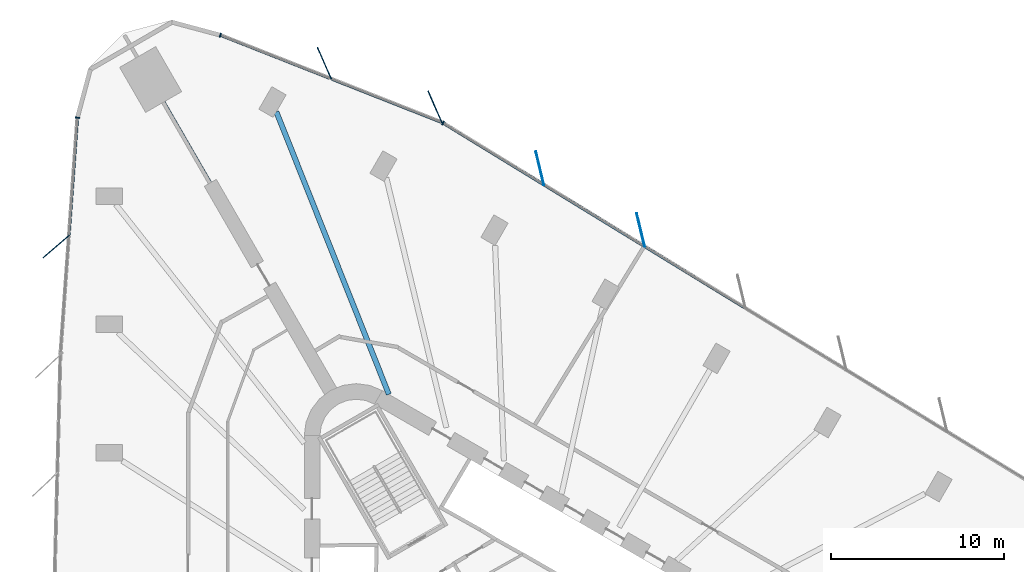
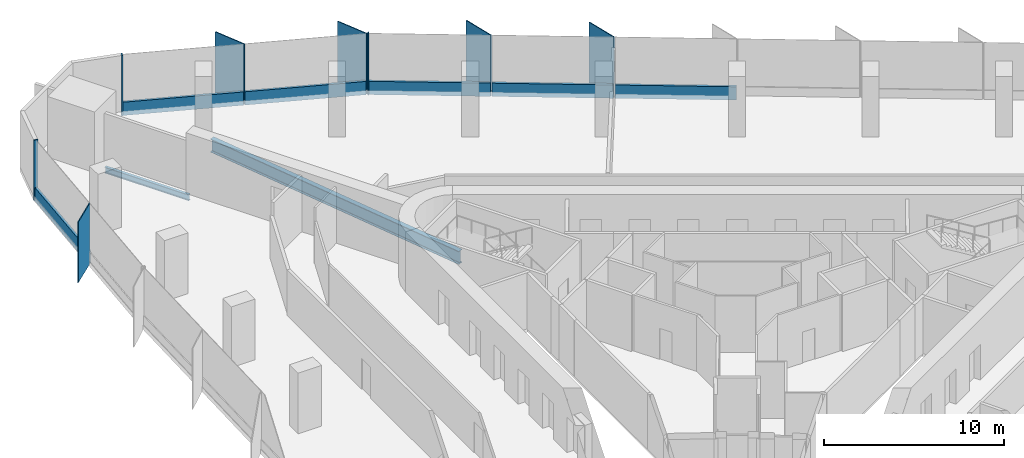
# One storey, part 6 of 13: 14 members, 2 beams, 3 elements without a shape of their own.
"""IFC4 building model written with IfcOpenShell, lengths in metres."""

from ifc_helpers import new_model, si_unit, direction, frame, origin, origin_2d, place, context, subcontext, project, spatial, rectangle, i_section, extrude, material, material_profile, profile_set, type_object, element, aggregate, save


model = new_model("IFC4")

# Units and contexts
model_context = context("Model", 3, precision=1e-05, world=origin(), true_north=direction((0.0, 1.0)))
body_context = subcontext(model_context, "Body", "Model", "MODEL_VIEW")
ifc_project = project(units=[si_unit("LENGTHUNIT", "METRE"), si_unit("AREAUNIT", "SQUARE_METRE"), si_unit("VOLUMEUNIT", "CUBIC_METRE"), si_unit("PLANEANGLEUNIT", "RADIAN"), si_unit("MASSUNIT", "GRAM", prefix="KILO")], contexts=[model_context])

# Site, building, storey
site_placement = place(None, origin())
site = spatial("IfcSite", under=ifc_project, at=site_placement, CompositionType="ELEMENT")
building_placement = place(site_placement, origin())
building = spatial("IfcBuilding", under=site, at=building_placement, Name="Tanit Gate Tower", CompositionType="ELEMENT")
storey_placement = place(building_placement, frame((0.0, 0.0, 61.89990234375)))
storey = spatial("IfcBuildingStorey", under=building, at=storey_placement, Name="L11", CompositionType="ELEMENT", Elevation=61.89990234375)

# Curtain wall, members
ifc_material_1 = material(Name="Aluminium bronze anodised and glass", Category="aluminium")
curtain_wall_type = type_object("IfcCurtainWallType", Name="Curtain wall typical low", PredefinedType="NOTDEFINED", material=ifc_material_1)
curtain_wall_1_placement = place(storey_placement, origin())
curtain_wall_1 = element("IfcCurtainWall", 1, at=curtain_wall_1_placement, inside=storey, type_object=curtain_wall_type, Name="Curtain wall L11 NE2", PredefinedType="NOTDEFINED")
ifc_material_2 = material(Name="Aluminium bronze anodised", Category="aluminium")
ifc_material_profile_1 = material_profile(ifc_material_2, rectangle(XDim=2.0, YDim=0.055908203125, at=origin_2d()), Name="56x2000 bronze fin mullion")
ifc_profile_set_1 = profile_set([ifc_material_profile_1], Name="Aluminium bronze anodised")
member_type_1 = type_object("IfcMemberType", Name="FIN MULLION 56x2000 bronze", PredefinedType="MULLION", material=ifc_profile_set_1)
member_1_placement = place(storey_placement, frame((7.30029296875, 27.619873046875, -0.2998046875), z_axis=(0.0, 0.0, 1.0), x_axis=(0.233691416098, -0.972310815553, 0.0)))
member_1 = element("IfcMember", 2, at=member_1_placement, type_object=member_type_1, Name="Fin mullion L11 NE2.5", PredefinedType="MULLION", context=body_context, shape_type="SweptSolid", body=[
    extrude(rectangle(XDim=2.0, YDim=0.055908203125, at=origin_2d()), origin(), (0.0, 0.0, 1.0), 4.099853515625),
])
member_2_placement = place(storey_placement, frame((1.486572265625, 31.1806640625, -0.2998046875), z_axis=(0.0, 0.0, 1.0), x_axis=(0.233691416098, -0.972310815553, 0.0)))
member_2 = element("IfcMember", 3, at=member_2_placement, type_object=member_type_1, Name="Fin mullion L11 NE2.6", PredefinedType="MULLION", context=body_context, shape_type="SweptSolid", body=[
    extrude(rectangle(XDim=2.0, YDim=0.055908203125, at=origin_2d()), origin(), (0.0, 0.0, 1.0), 4.099853515625),
])

curtain_wall_2_placement = place(storey_placement, origin())
curtain_wall_2 = element("IfcCurtainWall", 4, at=curtain_wall_2_placement, inside=storey, type_object=curtain_wall_type, Name="Curtain wall L11 NE3", PredefinedType="NOTDEFINED")
member_3_placement = place(storey_placement, frame((-4.56005859375, 34.722900390625, -0.2998046875), z_axis=(0.0, 0.0, 1.0), x_axis=(0.39870312374, -0.917080050552, 0.0)))
member_3 = element("IfcMember", 5, at=member_3_placement, type_object=member_type_1, Name="Fin mullion L11 NE3.1", PredefinedType="MULLION", context=body_context, shape_type="SweptSolid", body=[
    extrude(rectangle(XDim=2.0, YDim=0.055908203125, at=origin_2d()), origin(), (0.0, 0.0, 1.0), 4.099853515625),
])
member_4_placement = place(storey_placement, frame((-10.940673828125, 37.236572265625, -0.2998046875), z_axis=(0.0, 0.0, 1.0), x_axis=(0.39870312374, -0.917080050552, 0.0)))
member_4 = element("IfcMember", 6, at=member_4_placement, type_object=member_type_1, Name="Fin mullion L11 NE3.2", PredefinedType="MULLION", context=body_context, shape_type="SweptSolid", body=[
    extrude(rectangle(XDim=2.0, YDim=0.055908203125, at=origin_2d()), origin(), (0.0, 0.0, 1.0), 4.099853515625),
])

# Curtain wall, member
curtain_wall_3_placement = place(storey_placement, origin())
curtain_wall_3 = element("IfcCurtainWall", 7, at=curtain_wall_3_placement, inside=storey, type_object=curtain_wall_type, Name="Curtain wall L11 W1", PredefinedType="NOTDEFINED")
member_5_placement = place(storey_placement, frame((-26.403076171875, 26.670654296875, -0.2998046875), z_axis=(0.0, 0.0, 1.0), x_axis=(0.755801874153, 0.65480037189, 0.0)))
member_5 = element("IfcMember", 8, at=member_5_placement, type_object=member_type_1, Name="Fin mullion L11 W1.2", PredefinedType="MULLION", context=body_context, shape_type="SweptSolid", body=[
    extrude(rectangle(XDim=2.0, YDim=0.055908203125, at=origin_2d()), origin(), (0.0, 0.0, 1.0), 4.099853515625),
])

# Member
ifc_material_3 = material(Name="Aluminium bronze anodised", Category="aluminium")
ifc_material_profile_2 = material_profile(ifc_material_3, rectangle(XDim=0.239990234375, YDim=0.080078125, at=origin_2d()), Name="80x240 bronze mullion")
ifc_profile_set_2 = profile_set([ifc_material_profile_2], Name="Aluminium bronze anodised")
member_type_2 = type_object("IfcMemberType", Name="Mullion 80x240 typical low", PredefinedType="MULLION", material=ifc_profile_set_2)
member_6_placement = place(storey_placement, frame((-4.09912109375, 33.791015625, -0.2998046875), z_axis=(0.0, 0.0, 1.0), x_axis=(-0.522282786071, -0.852772356127, 0.0)))
member_6 = element("IfcMember", 9, at=member_6_placement, type_object=member_type_2, Name="Mullion L11 NE2.7", PredefinedType="MULLION", context=body_context, shape_type="SweptSolid", body=[
    extrude(rectangle(XDim=0.239990234375, YDim=0.080078125, at=origin_2d()), origin(), (0.0, 0.0, 1.0), 4.099853515625),
])

member_7_placement = place(storey_placement, frame((-16.931884765625, 38.854248046875, -0.2998046875), z_axis=(0.0, 0.0, 1.0), x_axis=(-0.366547840159, -0.930399205113, 0.0)))
member_7 = element("IfcMember", 10, at=member_7_placement, type_object=member_type_2, Name="Mullion L11 NE3.3", PredefinedType="MULLION", context=body_context, shape_type="SweptSolid", body=[
    extrude(rectangle(XDim=0.239990234375, YDim=0.080078125, at=origin_2d()), origin(), (0.0, 0.0, 1.0), 4.099853515625),
])

member_8_placement = place(storey_placement, frame((-25.178466796875, 34.094482421875, -0.2998046875), z_axis=(0.0, 0.0, 1.0), x_axis=(0.997446413734, -0.07141884716, 0.0)))
member_8 = element("IfcMember", 11, at=member_8_placement, type_object=member_type_2, Name="Mullion L11 W1.1", PredefinedType="MULLION", context=body_context, shape_type="SweptSolid", body=[
    extrude(rectangle(XDim=0.239990234375, YDim=0.080078125, at=origin_2d()), origin(), (0.0, 0.0, 1.0), 4.099853515625),
])

# Beams
ifc_material_4 = material(Name="Steel S355", Category="steel")
ifc_material_profile_3 = material_profile(ifc_material_4, i_section(OverallWidth=0.300048828125, OverallDepth=0.889892578125, WebThickness=0.01611328125, FlangeThickness=0.030029296875, FilletRadius=0.030029296875, at=origin_2d()), Name="HEA 900")
ifc_profile_set_3 = profile_set([ifc_material_profile_3], Name="Steel S355")
beam_type_1 = type_object("IfcBeamType", Name="RADIAL GIRDER HEA 900 S355", PredefinedType="BEAM", material=ifc_profile_set_3)
beam_1_placement = place(storey_placement, frame((-13.708740234375, 34.4375, -0.744873046875), z_axis=(0.369856388191, -0.929088936601, 0.0), x_axis=(0.929088936601, 0.369856388191, 0.0)))
element("IfcBeam", 12, at=beam_1_placement, inside=storey, type_object=beam_type_1, Name="RADIAL GIRDER", PredefinedType="BEAM", context=body_context, shape_type="SweptSolid", body=[
    extrude(i_section(OverallWidth=0.300048828125, OverallDepth=0.889892578125, WebThickness=0.01611328125, FlangeThickness=0.030029296875, FilletRadius=0.030029296875, at=origin_2d()), origin(), (0.0, 0.0, 1.0), 17.536865234375),
])
ifc_material_5 = material(Name="Steel S355", Category="steel")
ifc_material_profile_4 = material_profile(ifc_material_5, i_section(OverallWidth=0.179931640625, OverallDepth=0.39990234375, WebThickness=0.008544921875, FlangeThickness=0.013427734375, FilletRadius=0.02099609375, at=origin_2d()), Name="IPE 400")
ifc_profile_set_4 = profile_set([ifc_material_profile_4], Name="Steel S355")
beam_type_2 = type_object("IfcBeamType", Name="RADIAL GIRDER IPE 400 S355", PredefinedType="BEAM", material=ifc_profile_set_4)
beam_2_placement = place(storey_placement, frame((-20.206787109375, 34.999267578125, -0.5), z_axis=(0.499994808408, -0.866028401131, 0.0), x_axis=(0.866028401131, 0.499994808408, 0.0)))
element("IfcBeam", 13, at=beam_2_placement, inside=storey, type_object=beam_type_2, Name="RADIAL GIRDER", PredefinedType="BEAM", context=body_context, shape_type="SweptSolid", body=[
    extrude(i_section(OverallWidth=0.179931640625, OverallDepth=0.39990234375, WebThickness=0.008544921875, FlangeThickness=0.013427734375, FilletRadius=0.02099609375, at=origin_2d()), origin(), (0.0, 0.0, 1.0), 5.3798828125),
])

# Member
ifc_material_6 = material(Name="Aluminium bronze anodised", Category="aluminium")
ifc_material_profile_5 = material_profile(ifc_material_6, rectangle(XDim=0.159912109375, YDim=0.89990234375, at=origin_2d()), Name="160x900 bronze transom")
ifc_profile_set_5 = profile_set([ifc_material_profile_5], Name="Aluminium bronze anodised")
member_type_3 = type_object("IfcMemberType", Name="Transom 160x900 typical low", PredefinedType="USERDEFINED", material=ifc_profile_set_5)
member_9_placement = place(storey_placement, frame((13.30859375, 23.129638671875, 0.150146484375), z_axis=(-0.852763694856, 0.522296927749, 0.0), x_axis=(-0.522296927749, -0.852763694856, 0.0)))
member_9 = element("IfcMember", 14, at=member_9_placement, type_object=member_type_3, Name="Transom L11 NE2.4", ObjectType="TRANSOM", PredefinedType="USERDEFINED", context=body_context, shape_type="SweptSolid", body=[
    extrude(rectangle(XDim=0.159912109375, YDim=0.89990234375, at=origin_2d()), origin(), (0.0, 0.0, 1.0), 6.737548828125),
])

member_10_placement = place(storey_placement, frame((7.49462890625, 26.6904296875, 0.150146484375), z_axis=(-0.852763694856, 0.522296927749, 0.0), x_axis=(-0.522296927749, -0.852763694856, 0.0)))
member_10 = element("IfcMember", 15, at=member_10_placement, type_object=member_type_3, Name="Transom L11 NE2.5", ObjectType="TRANSOM", PredefinedType="USERDEFINED", context=body_context, shape_type="SweptSolid", body=[
    extrude(rectangle(XDim=0.159912109375, YDim=0.89990234375, at=origin_2d()), origin(), (0.0, 0.0, 1.0), 6.737548828125),
])

member_11_placement = place(storey_placement, frame((1.6806640625, 30.251220703125, 0.150146484375), z_axis=(-0.852779833847, 0.52227057641, 0.0), x_axis=(-0.52227057641, -0.852779833847, 0.0)))
member_11 = element("IfcMember", 16, at=member_11_placement, type_object=member_type_3, Name="Transom L11 NE2.6", ObjectType="TRANSOM", PredefinedType="USERDEFINED", context=body_context, shape_type="SweptSolid", body=[
    extrude(rectangle(XDim=0.159912109375, YDim=0.89990234375, at=origin_2d()), origin(), (0.0, 0.0, 1.0), 6.737548828125),
])

aggregate(curtain_wall_1, [member_1, member_2, member_6, member_9, member_10, member_11])

member_12_placement = place(storey_placement, frame((-4.20751953125, 33.84130859375, 0.150146484375), z_axis=(-0.930406531729, 0.366529242649, 0.0), x_axis=(-0.366529242649, -0.930406531729, 0.0)))
member_12 = element("IfcMember", 17, at=member_12_placement, type_object=member_type_3, Name="Transom L11 NE3.1", ObjectType="TRANSOM", PredefinedType="USERDEFINED", context=body_context, shape_type="SweptSolid", body=[
    extrude(rectangle(XDim=0.159912109375, YDim=0.89990234375, at=origin_2d()), origin(), (0.0, 0.0, 1.0), 6.778076171875),
])

member_13_placement = place(storey_placement, frame((-10.58837890625, 36.35498046875, 0.150146484375), z_axis=(-0.930401692561, 0.366541526268, 0.0), x_axis=(-0.366541526268, -0.930401692561, 0.0)))
member_13 = element("IfcMember", 18, at=member_13_placement, type_object=member_type_3, Name="Transom L11 NE3.2", ObjectType="TRANSOM", PredefinedType="USERDEFINED", context=body_context, shape_type="SweptSolid", body=[
    extrude(rectangle(XDim=0.159912109375, YDim=0.89990234375, at=origin_2d()), origin(), (0.0, 0.0, 1.0), 6.77783203125),
])

aggregate(curtain_wall_2, [member_3, member_4, member_7, member_12, member_13])

member_14_placement = place(storey_placement, frame((-25.181396484375, 34.0546875, 0.150146484375), z_axis=(-0.071412256994, -0.997446885579, 0.0), x_axis=(0.997446885579, -0.071412256994, 0.0)))
member_14 = element("IfcMember", 19, at=member_14_placement, type_object=member_type_3, Name="Transom L11 W1.1", ObjectType="TRANSOM", PredefinedType="USERDEFINED", context=body_context, shape_type="SweptSolid", body=[
    extrude(rectangle(XDim=0.159912109375, YDim=0.89990234375, at=origin_2d()), origin(), (0.0, 0.0, 1.0), 6.72119140625),
])

aggregate(curtain_wall_3, [member_8, member_5, member_14])

save(model, "model.ifc")
